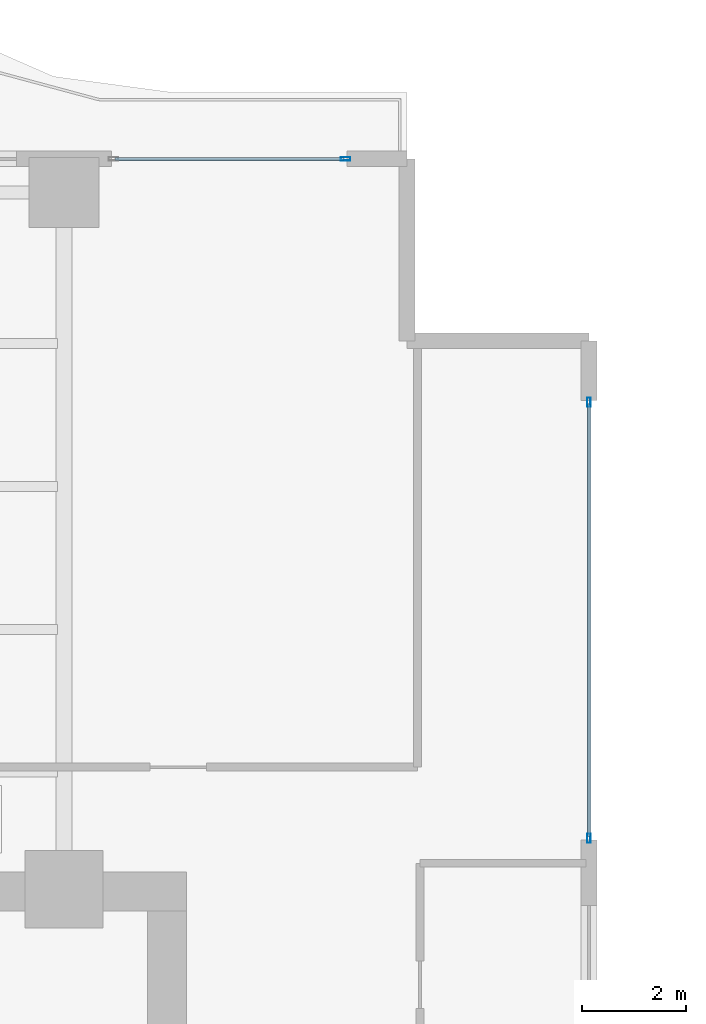
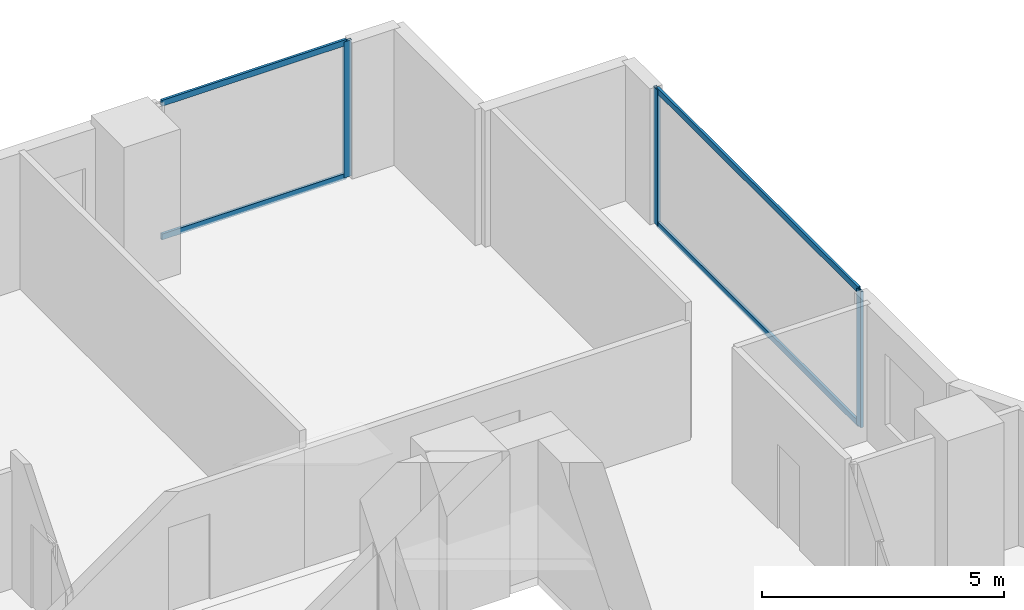
# One storey, part 18 of 27: 7 members, 2 elements without a shape of their own.
"""IFC4 building model written with IfcOpenShell, lengths in metres."""

from ifc_helpers import new_model, si_unit, direction, frame, origin, origin_2d, place, context, subcontext, project, spatial, hollow_rectangle, extrude, material, layer, layer_set, material_profile, profile_set, type_object, element, aggregate, save


model = new_model("IFC4")

# Units and contexts
model_context = context("Model", 3, precision=1e-05, world=origin(), true_north=direction((0.0, 1.0)))
body_context = subcontext(model_context, "Body", "Model", "MODEL_VIEW")
ifc_project = project(units=[si_unit("LENGTHUNIT", "METRE"), si_unit("AREAUNIT", "SQUARE_METRE"), si_unit("VOLUMEUNIT", "CUBIC_METRE"), si_unit("PLANEANGLEUNIT", "RADIAN"), si_unit("MASSUNIT", "GRAM", prefix="KILO")], contexts=[model_context])

# Site, building, storey
site_placement = place(None, origin())
site = spatial("IfcSite", under=ifc_project, at=site_placement, CompositionType="ELEMENT")
building_placement = place(site_placement, origin())
building = spatial("IfcBuilding", under=site, at=building_placement, Name="Zuhayl Quay Hotel", CompositionType="ELEMENT")
storey_placement = place(building_placement, frame((0.0, 0.0, 117.550048828125)))
storey = spatial("IfcBuildingStorey", under=building, at=storey_placement, Name="L29", CompositionType="ELEMENT", Elevation=117.550048828125)

# Curtain wall, member
ifc_material_1 = material(Name="Anodised Aluminium 6063-T6", Category="aluminium")
ifc_layer = layer(ifc_material_1, 0.179931640625, Name="Anodised Aluminium 6063-T6", Category="aluminium")
ifc_layer_set = layer_set([ifc_layer], Name="Anodised Aluminium 6063-T6")
curtain_wall_type = type_object("IfcCurtainWallType", Name="CW_SYS_Z2", PredefinedType="USERDEFINED", material=ifc_layer_set)
curtain_wall_1_placement = place(storey_placement, origin())
curtain_wall_1 = element("IfcCurtainWall", 1, at=curtain_wall_1_placement, inside=storey, type_object=curtain_wall_type, Name="L29 Curtain Wall ENV_L29_N_CW4", ObjectType="UNITISED CURTAIN WALL", PredefinedType="USERDEFINED")
ifc_material_2 = material(Name="Black-anodised aluminium 6063-T6", Category="aluminium")
ifc_material_profile_1 = material_profile(ifc_material_2, hollow_rectangle(XDim=0.06494140625, YDim=0.179931640625, WallThickness=0.00341796875, at=origin_2d()), Name="ALU180X65")
ifc_profile_set_1 = profile_set([ifc_material_profile_1], Name="Black-anodised aluminium 6063-T6")
member_type_1 = type_object("IfcMemberType", Name="MB_CW_MUL_180", PredefinedType="MULLION", material=ifc_profile_set_1)
member_1_placement = place(storey_placement, frame((19.217529296875, 28.39990234375, 0.0), z_axis=(0.0, 0.0, 1.0), x_axis=(0.0, 1.0, 0.0)))
member_1 = element("IfcMember", 2, at=member_1_placement, type_object=member_type_1, Name="CW-Z2 mullion 2", PredefinedType="MULLION", context=body_context, shape_type="SweptSolid", body=[
    extrude(hollow_rectangle(XDim=0.06494140625, YDim=0.179931640625, WallThickness=0.00341796875, at=origin_2d()), origin(), (0.0, 0.0, 1.0), 3.429931640625),
])

# Curtain wall, members
curtain_wall_2_placement = place(storey_placement, origin())
curtain_wall_2 = element("IfcCurtainWall", 3, at=curtain_wall_2_placement, inside=storey, type_object=curtain_wall_type, Name="L29 Curtain Wall ENV_L29_E11_CW1", ObjectType="UNITISED CURTAIN WALL", PredefinedType="USERDEFINED")
member_2_placement = place(storey_placement, frame((23.89990234375, 23.717529296875, 0.0), z_axis=(0.0, 0.0, 1.0), x_axis=(1.0, 0.0, 0.0)))
member_2 = element("IfcMember", 4, at=member_2_placement, type_object=member_type_1, Name="CW-Z2 mullion 1", PredefinedType="MULLION", context=body_context, shape_type="SweptSolid", body=[
    extrude(hollow_rectangle(XDim=0.06494140625, YDim=0.179931640625, WallThickness=0.00341796875, at=origin_2d()), origin(), (0.0, 0.0, 1.0), 3.429931640625),
])
member_3_placement = place(storey_placement, frame((23.89990234375, 15.33251953125, 0.0), z_axis=(0.0, 0.0, 1.0), x_axis=(1.0, 0.0, 0.0)))
member_3 = element("IfcMember", 5, at=member_3_placement, type_object=member_type_1, Name="CW-Z2 mullion 2", PredefinedType="MULLION", context=body_context, shape_type="SweptSolid", body=[
    extrude(hollow_rectangle(XDim=0.06494140625, YDim=0.179931640625, WallThickness=0.00341796875, at=origin_2d()), origin(), (0.0, 0.0, 1.0), 3.429931640625),
])

# Member
ifc_material_profile_2 = material_profile(ifc_material_2, hollow_rectangle(XDim=0.06005859375, YDim=0.14990234375, WallThickness=0.00341796875, at=origin_2d()), Name="ALU150X60")
ifc_profile_set_2 = profile_set([ifc_material_profile_2], Name="Black-anodised aluminium 6063-T6")
member_type_2 = type_object("IfcMemberType", Name="MB_CW_TRN_150", PredefinedType="USERDEFINED", material=ifc_profile_set_2)
member_4_placement = place(storey_placement, frame((14.784912109375, 28.39990234375, 0.030029296875), z_axis=(1.0, 0.0, 0.0), x_axis=(0.0, 1.0, 0.0)))
member_4 = element("IfcMember", 6, at=member_4_placement, type_object=member_type_2, Name="CW-Z2 transom 1.1", ObjectType="TRANSOM", PredefinedType="USERDEFINED", context=body_context, shape_type="SweptSolid", body=[
    extrude(hollow_rectangle(XDim=0.06005859375, YDim=0.14990234375, WallThickness=0.00341796875, at=origin_2d()), origin(), (0.0, 0.0, 1.0), 4.400146484375),
])

member_5_placement = place(storey_placement, frame((14.784912109375, 28.39990234375, 3.39990234375), z_axis=(1.0, 0.0, 0.0), x_axis=(0.0, 1.0, 0.0)))
member_5 = element("IfcMember", 7, at=member_5_placement, type_object=member_type_2, Name="CW-Z2 transom 1.2", ObjectType="TRANSOM", PredefinedType="USERDEFINED", context=body_context, shape_type="SweptSolid", body=[
    extrude(hollow_rectangle(XDim=0.06005859375, YDim=0.14990234375, WallThickness=0.00341796875, at=origin_2d()), origin(), (0.0, 0.0, 1.0), 4.400146484375),
])

aggregate(curtain_wall_1, [member_1, member_4, member_5])

member_6_placement = place(storey_placement, frame((23.89990234375, 23.68505859375, 0.030029296875), z_axis=(0.0, -1.0, 0.0), x_axis=(1.0, 0.0, 0.0)))
member_6 = element("IfcMember", 8, at=member_6_placement, type_object=member_type_2, Name="CW-Z2 transom 1.1", ObjectType="TRANSOM", PredefinedType="USERDEFINED", context=body_context, shape_type="SweptSolid", body=[
    extrude(hollow_rectangle(XDim=0.06005859375, YDim=0.14990234375, WallThickness=0.00341796875, at=origin_2d()), origin(), (0.0, 0.0, 1.0), 8.320068359375),
])

member_7_placement = place(storey_placement, frame((23.89990234375, 23.68505859375, 3.39990234375), z_axis=(0.0, -1.0, 0.0), x_axis=(1.0, 0.0, 0.0)))
member_7 = element("IfcMember", 9, at=member_7_placement, type_object=member_type_2, Name="CW-Z2 transom 1.2", ObjectType="TRANSOM", PredefinedType="USERDEFINED", context=body_context, shape_type="SweptSolid", body=[
    extrude(hollow_rectangle(XDim=0.06005859375, YDim=0.14990234375, WallThickness=0.00341796875, at=origin_2d()), origin(), (0.0, 0.0, 1.0), 8.320068359375),
])

aggregate(curtain_wall_2, [member_2, member_3, member_6, member_7])

save(model, "model.ifc")
